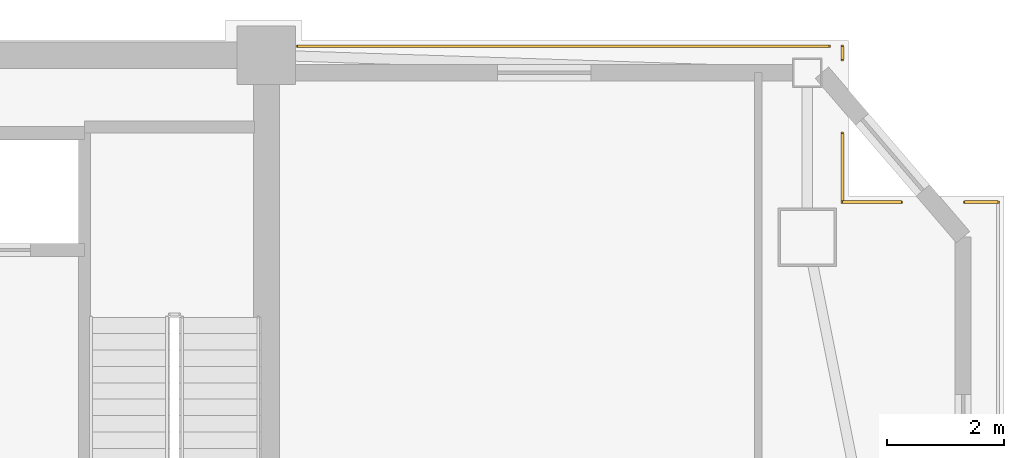
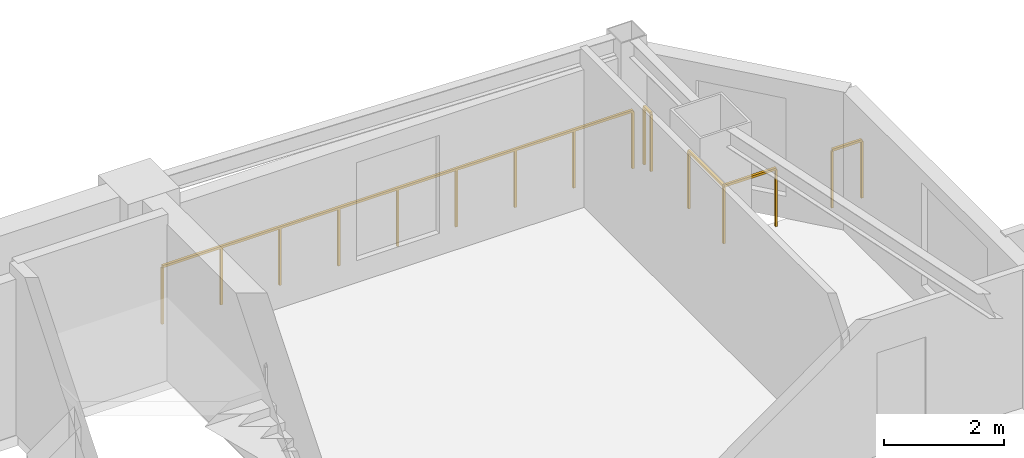
# One storey, part 19 of 19: 5 railings.
"""IFC4 building model written with IfcOpenShell, lengths in metres."""

from ifc_helpers import new_model, si_unit, direction, frame, origin, origin_2d, place, context, subcontext, project, spatial, rectangle, extrude, material, type_object, element, save


model = new_model("IFC4")

# Units and contexts
model_context = context("Model", 3, precision=1e-05, world=origin(), true_north=direction((0.0, 1.0)))
body_context = subcontext(model_context, "Body", "Model", "MODEL_VIEW")
ifc_project = project(units=[si_unit("LENGTHUNIT", "METRE"), si_unit("AREAUNIT", "SQUARE_METRE"), si_unit("VOLUMEUNIT", "CUBIC_METRE"), si_unit("PLANEANGLEUNIT", "RADIAN"), si_unit("MASSUNIT", "GRAM", prefix="KILO")], contexts=[model_context])

# Site, building, storey
site_placement = place(None, origin())
site = spatial("IfcSite", under=ifc_project, at=site_placement, CompositionType="ELEMENT")
building_placement = place(site_placement, origin())
building = spatial("IfcBuilding", under=site, at=building_placement, Name="Giltprow Tower", CompositionType="ELEMENT")
storey_placement = place(building_placement, frame((0.0, 0.0, 241.699951171875)))
storey = spatial("IfcBuildingStorey", under=building, at=storey_placement, Name="L61", CompositionType="ELEMENT", Elevation=241.699951171875)

# Railings
ifc_material = material(Name="Anodized bronze", Category="metal")
railing_type = type_object("IfcRailingType", Name="RAIL-BALC-GUARD-1200", PredefinedType="BALUSTRADE", material=ifc_material)
railing_1_placement = place(storey_placement, frame((51.0849609375, 46.699951171875, 0.0)))
element("IfcRailing", 1, at=railing_1_placement, inside=storey, type_object=railing_type, Name="L61 Corner Apron Edge Balustrade 23", PredefinedType="BALUSTRADE", context=body_context, shape_type="SweptSolid", body=[
    extrude(rectangle(XDim=0.048095703125, YDim=0.048095703125, at=origin_2d()), frame((0.0, 0.0, 1.17578125), z_axis=(1.0, 0.0, 0.0), x_axis=(0.0, 1.0, 0.0)), (0.0, 0.0, 1.0), 9.0810546875),
    extrude(rectangle(XDim=0.0419921875, YDim=0.0419921875, at=origin_2d()), origin(), (0.0, 0.0, 1.0), 1.15185546875),
    extrude(rectangle(XDim=0.0419921875, YDim=0.0419921875, at=origin_2d()), frame((1.13525390625, 0.0, 0.0)), (0.0, 0.0, 1.0), 1.15185546875),
    extrude(rectangle(XDim=0.0419921875, YDim=0.0419921875, at=origin_2d()), frame((2.270263671875, 0.0, 0.0)), (0.0, 0.0, 1.0), 1.15185546875),
    extrude(rectangle(XDim=0.0419921875, YDim=0.0419921875, at=origin_2d()), frame((3.4052734375, 0.0, 0.0)), (0.0, 0.0, 1.0), 1.15185546875),
    extrude(rectangle(XDim=0.0419921875, YDim=0.0419921875, at=origin_2d()), frame((4.54052734375, 0.0, 0.0)), (0.0, 0.0, 1.0), 1.15185546875),
    extrude(rectangle(XDim=0.0419921875, YDim=0.0419921875, at=origin_2d()), frame((5.67578125, 0.0, 0.0)), (0.0, 0.0, 1.0), 1.15185546875),
    extrude(rectangle(XDim=0.0419921875, YDim=0.0419921875, at=origin_2d()), frame((6.810791015625, 0.0, 0.0)), (0.0, 0.0, 1.0), 1.15185546875),
    extrude(rectangle(XDim=0.0419921875, YDim=0.0419921875, at=origin_2d()), frame((7.94580078125, 0.0, 0.0)), (0.0, 0.0, 1.0), 1.15185546875),
    extrude(rectangle(XDim=0.0419921875, YDim=0.0419921875, at=origin_2d()), frame((9.0810546875, 0.0, 0.0)), (0.0, 0.0, 1.0), 1.15185546875),
])
railing_2_placement = place(storey_placement, frame((60.39111328125, 46.699951171875, 0.0)))
element("IfcRailing", 2, at=railing_2_placement, inside=storey, type_object=railing_type, Name="L61 Corner Apron Edge Balustrade 24", PredefinedType="BALUSTRADE", context=body_context, shape_type="SweptSolid", body=[
    extrude(rectangle(XDim=0.048095703125, YDim=0.048095703125, at=origin_2d()), frame((0.0, 0.0, 1.17578125), z_axis=(0.0, -1.0, 0.0), x_axis=(1.0, 0.0, 0.0)), (0.0, 0.0, 1.0), 0.22802734375),
    extrude(rectangle(XDim=0.0419921875, YDim=0.0419921875, at=origin_2d()), origin(), (0.0, 0.0, 1.0), 1.15185546875),
    extrude(rectangle(XDim=0.0419921875, YDim=0.0419921875, at=origin_2d()), frame((0.0, -0.22802734375, 0.0)), (0.0, 0.0, 1.0), 1.15185546875),
])
railing_3_placement = place(storey_placement, frame((60.39111328125, 45.2119140625, 0.0)))
element("IfcRailing", 3, at=railing_3_placement, inside=storey, type_object=railing_type, Name="L61 Corner Apron Edge Balustrade 25", PredefinedType="BALUSTRADE", context=body_context, shape_type="SweptSolid", body=[
    extrude(rectangle(XDim=0.048095703125, YDim=0.048095703125, at=origin_2d()), frame((0.0, 0.0, 1.17578125), z_axis=(0.0, -1.0, 0.0), x_axis=(1.0, 0.0, 0.0)), (0.0, 0.0, 1.0), 1.1728515625),
    extrude(rectangle(XDim=0.0419921875, YDim=0.0419921875, at=origin_2d()), origin(), (0.0, 0.0, 1.0), 1.15185546875),
    extrude(rectangle(XDim=0.0419921875, YDim=0.0419921875, at=origin_2d()), frame((0.0, -1.1728515625, 0.0)), (0.0, 0.0, 1.0), 1.15185546875),
])
railing_4_placement = place(storey_placement, frame((60.39111328125, 44.0390625, 0.0)))
element("IfcRailing", 4, at=railing_4_placement, inside=storey, type_object=railing_type, Name="L61 Corner Apron Edge Balustrade 26", PredefinedType="BALUSTRADE", context=body_context, shape_type="SweptSolid", body=[
    extrude(rectangle(XDim=0.048095703125, YDim=0.048095703125, at=origin_2d()), frame((0.0, 0.0, 1.17578125), z_axis=(1.0, 0.0, 0.0), x_axis=(0.0, 1.0, 0.0)), (0.0, 0.0, 1.0), 1.005859375),
    extrude(rectangle(XDim=0.0419921875, YDim=0.0419921875, at=origin_2d()), origin(), (0.0, 0.0, 1.0), 1.15185546875),
    extrude(rectangle(XDim=0.0419921875, YDim=0.0419921875, at=origin_2d()), frame((1.005859375, 0.0, 0.0)), (0.0, 0.0, 1.0), 1.15185546875),
])
railing_5_placement = place(storey_placement, frame((62.47802734375, 44.0390625, 0.0)))
element("IfcRailing", 5, at=railing_5_placement, inside=storey, type_object=railing_type, Name="L61 Corner Apron Edge Balustrade 27", PredefinedType="BALUSTRADE", context=body_context, shape_type="SweptSolid", body=[
    extrude(rectangle(XDim=0.048095703125, YDim=0.048095703125, at=origin_2d()), frame((0.0, 0.0, 1.17578125), z_axis=(1.0, 0.0, 0.0), x_axis=(0.0, 1.0, 0.0)), (0.0, 0.0, 1.0), 0.573974609375),
    extrude(rectangle(XDim=0.0419921875, YDim=0.0419921875, at=origin_2d()), origin(), (0.0, 0.0, 1.0), 1.15185546875),
    extrude(rectangle(XDim=0.0419921875, YDim=0.0419921875, at=origin_2d()), frame((0.573974609375, 0.0, 0.0)), (0.0, 0.0, 1.0), 1.15185546875),
])

save(model, "model.ifc")
